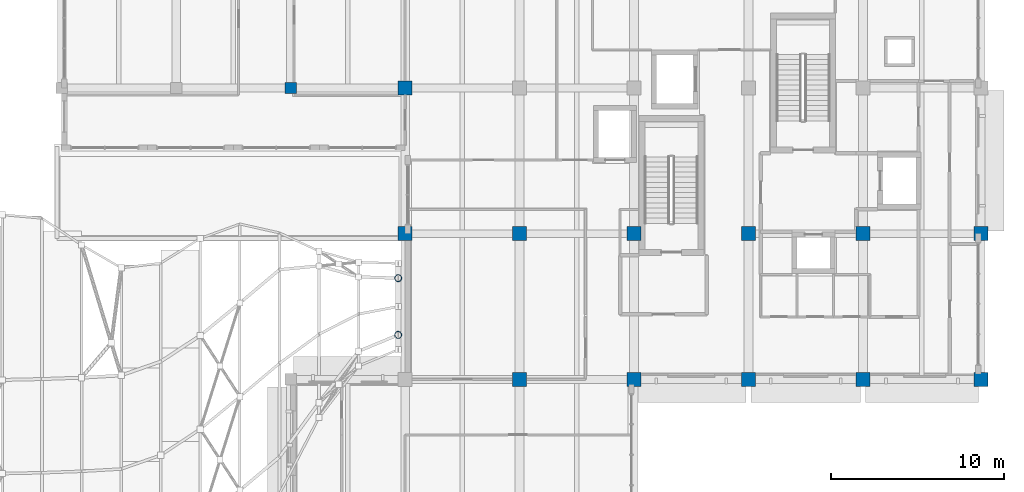
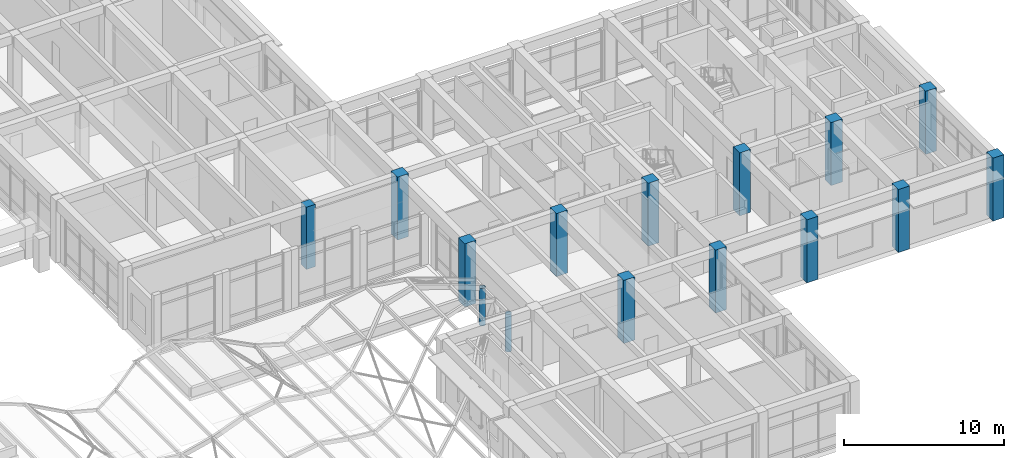
# One storey, part 4 of 79: 15 columns.
"""IFC4 building model written with IfcOpenShell, lengths in metres."""

from ifc_helpers import new_model, si_unit, direction, frame, origin, origin_2d, place, context, subcontext, project, spatial, rectangle, hollow_circle, extrude, material, material_profile, profile_set, type_object, element, save


model = new_model("IFC4")

# Units and contexts
model_context = context("Model", 3, precision=1e-05, world=origin(), true_north=direction((0.0, 1.0)))
body_context = subcontext(model_context, "Body", "Model", "MODEL_VIEW")
ifc_project = project(units=[si_unit("LENGTHUNIT", "METRE"), si_unit("AREAUNIT", "SQUARE_METRE"), si_unit("VOLUMEUNIT", "CUBIC_METRE"), si_unit("PLANEANGLEUNIT", "RADIAN"), si_unit("MASSUNIT", "GRAM", prefix="KILO")], contexts=[model_context])

# Site, building, storey
site_placement = place(None, origin())
site = spatial("IfcSite", under=ifc_project, at=site_placement, CompositionType="ELEMENT")
building_placement = place(site_placement, origin())
building = spatial("IfcBuilding", under=site, at=building_placement, Name="Kolvaren Faculty of Natural Sciences", CompositionType="ELEMENT")
storey_placement = place(building_placement, frame((0.0, 0.0, 10.199951171875)))
storey = spatial("IfcBuildingStorey", under=building, at=storey_placement, Name="L02", CompositionType="ELEMENT", Elevation=10.199951171875)

# Columns
ifc_material_1 = material(Name="Structural steel EN 10210-1 S355J2H (white architectural finish)", Category="steel")
ifc_material_profile_1 = material_profile(ifc_material_1, hollow_circle(Radius=0.203125, WallThickness=0.01416015625, at=origin_2d()), Name="CHS 406.4x14.2")
ifc_profile_set_1 = profile_set([ifc_material_profile_1], Name="Structural steel EN 10210-1 S355J2H (white architectural finish)")
column_type_1 = type_object("IfcColumnType", Name="PortalTreeTrunk_CHS406", PredefinedType="COLUMN", material=ifc_profile_set_1)
for number, where, z_axis, x_axis, name in (
    (1, (138.39990234375, 61.565185546875, 0.0), (0.0, 0.0, 1.0), (1.0, 0.0, 0.0), "Covered street canopy portal column E-S (L02)"),
    (2, (138.39990234375, 64.834716796875, 0.0), (0.0, 0.0, 1.0), (1.0, 0.0, 0.0), "Covered street canopy portal column E-N (L02)"),
):
    element("IfcColumn", number, at=place(storey_placement, frame(where, z_axis=z_axis, x_axis=x_axis)), inside=storey, type_object=column_type_1, Name=name, PredefinedType="COLUMN", context=body_context, shape_type="SweptSolid", body=[
        extrude(hollow_circle(Radius=0.203125, WallThickness=0.01416015625, at=origin_2d()), origin(), (0.0, 0.0, 1.0), 2.856201171875),
    ])
ifc_material_2 = material(Name="Concrete C40/50", Category="concrete")
ifc_material_profile_2 = material_profile(ifc_material_2, rectangle(XDim=0.800048828125, YDim=0.800048828125, at=origin_2d()), Name="RC COL 800x800")
ifc_profile_set_2 = profile_set([ifc_material_profile_2], Name="Concrete C40/50")
column_type_2 = type_object("IfcColumnType", Name="TowerColumn_800x800", PredefinedType="COLUMN", material=ifc_profile_set_2)
for number, where, z_axis, x_axis, name in (
    (3, (138.800048828125, 67.39990234375, 0.0), (0.0, 0.0, 1.0), (1.0, 0.0, 0.0), "L02 column TC-80 at 22/J"),
    (4, (138.800048828125, 75.800048828125, 0.0), (0.0, 0.0, 1.0), (1.0, 0.0, 0.0), "L02 column TC-80 at 22/K"),
    (5, (145.39990234375, 59.0, 0.0), (0.0, 0.0, 1.0), (1.0, 0.0, 0.0), "L02 column TC-80 at 23/H"),
    (6, (145.39990234375, 67.39990234375, 0.0), (0.0, 0.0, 1.0), (1.0, 0.0, 0.0), "L02 column TC-80 at 23/J"),
    (7, (152.0, 59.0, 0.0), (0.0, 0.0, 1.0), (1.0, 0.0, 0.0), "L02 column TC-80 at 24/H"),
    (8, (152.0, 67.39990234375, 0.0), (0.0, 0.0, 1.0), (1.0, 0.0, 0.0), "L02 column TC-80 at 24/J"),
    (9, (158.60009765625, 59.0, 0.0), (0.0, 0.0, 1.0), (1.0, 0.0, 0.0), "L02 column TC-80 at 25/H"),
    (10, (158.60009765625, 67.39990234375, 0.0), (0.0, 0.0, 1.0), (1.0, 0.0, 0.0), "L02 column TC-80 at 25/J"),
    (11, (165.199951171875, 59.0, 0.0), (0.0, 0.0, 1.0), (1.0, 0.0, 0.0), "L02 column TC-80 at 26/H"),
    (12, (165.199951171875, 67.39990234375, 0.0), (0.0, 0.0, 1.0), (1.0, 0.0, 0.0), "L02 column TC-80 at 26/J"),
    (13, (172.0, 59.0, 0.0), (0.0, 0.0, 1.0), (1.0, 0.0, 0.0), "L02 column TC-80 at 27/H"),
    (14, (172.0, 67.39990234375, 0.0), (0.0, 0.0, 1.0), (1.0, 0.0, 0.0), "L02 column TC-80 at 27/J"),
):
    element("IfcColumn", number, at=place(storey_placement, frame(where, z_axis=z_axis, x_axis=x_axis)), inside=storey, type_object=column_type_2, Name=name, PredefinedType="COLUMN", context=body_context, shape_type="SweptSolid", body=[
        extrude(rectangle(XDim=0.800048828125, YDim=0.800048828125, at=origin_2d()), origin(), (0.0, 0.0, 1.0), 4.800048828125),
    ])
ifc_material_3 = material(Name="Concrete C35/45", Category="concrete")
ifc_material_profile_3 = material_profile(ifc_material_3, rectangle(XDim=0.64990234375, YDim=0.64990234375, at=origin_2d()), Name="RC COL 650x650")
ifc_profile_set_3 = profile_set([ifc_material_profile_3], Name="Concrete C35/45")
column_type_3 = type_object("IfcColumnType", Name="WingColumn_650x650", PredefinedType="COLUMN", material=ifc_profile_set_3)
column_placement = place(storey_placement, frame((132.199951171875, 75.800048828125, 0.0), z_axis=(0.0, 0.0, 1.0), x_axis=(1.0, 0.0, 0.0)))
element("IfcColumn", 15, at=column_placement, inside=storey, type_object=column_type_3, Name="L02 column WC-65 at 21/K", PredefinedType="COLUMN", context=body_context, shape_type="SweptSolid", body=[
    extrude(rectangle(XDim=0.64990234375, YDim=0.64990234375, at=origin_2d()), origin(), (0.0, 0.0, 1.0), 4.739990234375),
])

save(model, "model.ifc")
